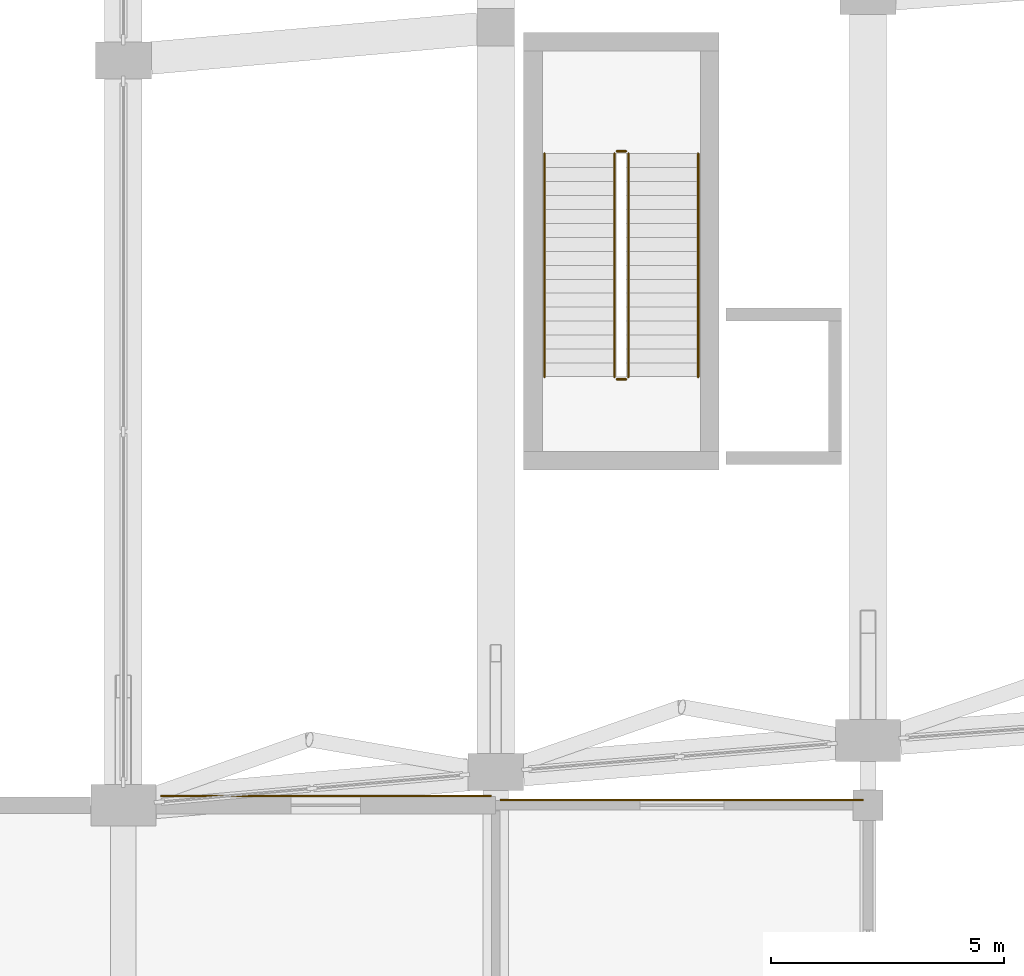
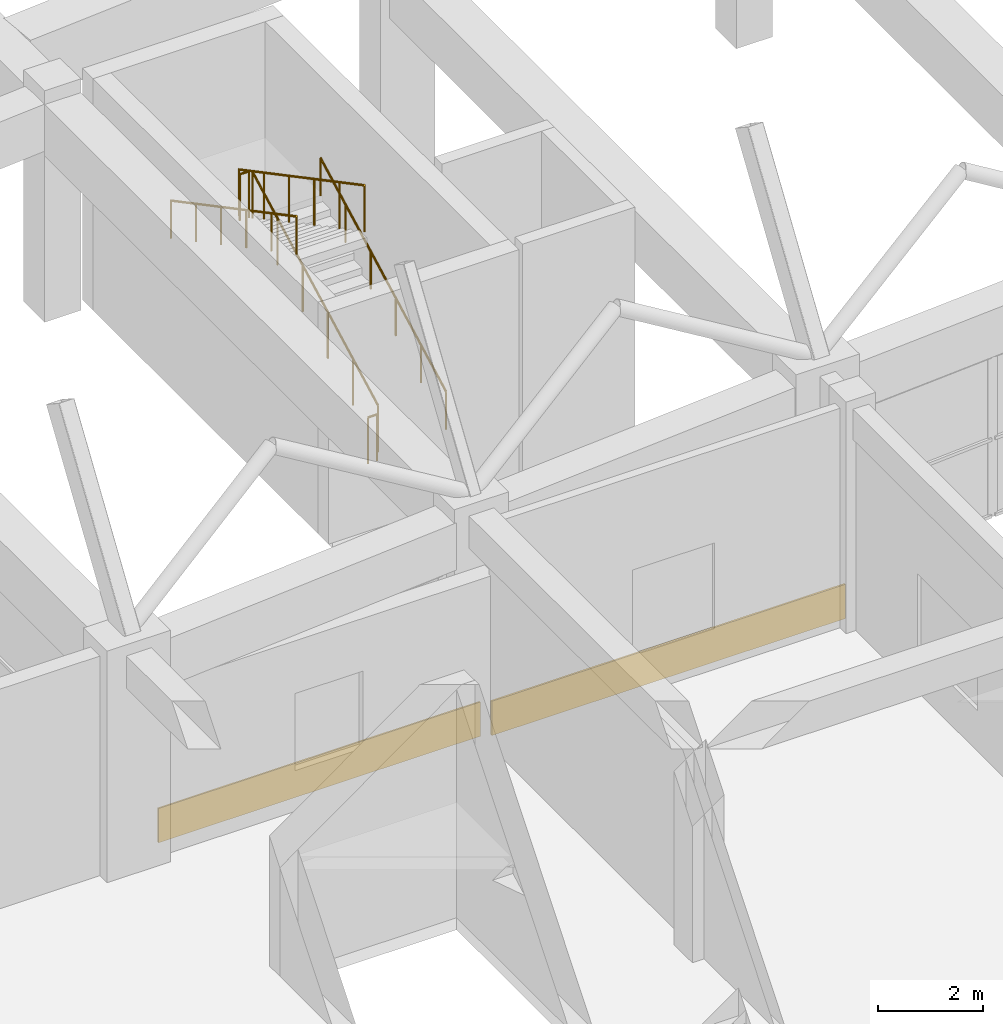
# One storey, part 63 of 69: 6 railings, 2 coverings.
"""IFC4 building model written with IfcOpenShell, lengths in metres."""

from ifc_helpers import new_model, si_unit, direction, frame, origin, origin_2d, place, context, subcontext, project, spatial, rectangle, circle, extrude, material, layer, layer_set, type_object, element, save


model = new_model("IFC4")

# Units and contexts
model_context = context("Model", 3, precision=1e-05, world=origin(), true_north=direction((0.0, 1.0)))
body_context = subcontext(model_context, "Body", "Model", "MODEL_VIEW")
ifc_project = project(units=[si_unit("LENGTHUNIT", "METRE"), si_unit("AREAUNIT", "SQUARE_METRE"), si_unit("VOLUMEUNIT", "CUBIC_METRE"), si_unit("PLANEANGLEUNIT", "RADIAN"), si_unit("MASSUNIT", "GRAM", prefix="KILO")], contexts=[model_context])

# Site, building, storey
site_placement = place(None, origin())
site = spatial("IfcSite", under=ifc_project, at=site_placement, CompositionType="ELEMENT")
building_placement = place(site_placement, origin())
building = spatial("IfcBuilding", under=site, at=building_placement, Name="Kenh Van Central Station", CompositionType="ELEMENT")
storey_placement = place(building_placement, frame((0.0, 0.0, 5.39990234375)))
storey = spatial("IfcBuildingStorey", under=building, at=storey_placement, Name="L01", CompositionType="ELEMENT", Elevation=5.39990234375)

# Coverings
ifc_material_1 = material(Name="Saigon buff sandstone cladding", Category="masonry")
ifc_layer_1 = layer(ifc_material_1, 0.0400390625, Name="Saigon buff sandstone cladding")
ifc_layer_set_1 = layer_set([ifc_layer_1], Name="Saigon buff sandstone cladding")
covering_type_1 = type_object("IfcCoveringType", Name="COV-CLAD-BUFF", PredefinedType="CLADDING", material=ifc_layer_set_1)
covering_1_placement = place(storey_placement, frame((44.0, 64.112548828125, 0.02001953125), z_axis=(0.0, 0.0, 1.0), x_axis=(-1.0, 0.0, 0.0)))
element("IfcCovering", 1, at=covering_1_placement, inside=storey, type_object=covering_type_1, Name="L01 facade cladding 027", PredefinedType="CLADDING", context=body_context, shape_type="SweptSolid", body=[
    extrude(rectangle(XDim=7.800048828125, YDim=0.0400390625, at=origin_2d()), origin(), (0.0, 0.0, 1.0), 0.800048828125),
])
ifc_material_2 = material(Name="Glazed terracotta rainscreen cladding", Category="masonry")
ifc_layer_2 = layer(ifc_material_2, 0.034912109375, Name="Glazed terracotta rainscreen cladding")
ifc_layer_set_2 = layer_set([ifc_layer_2], Name="Glazed terracotta rainscreen cladding")
covering_type_2 = type_object("IfcCoveringType", Name="COV-CLAD-TERRA", PredefinedType="CLADDING", material=ifc_layer_set_2)
covering_2_placement = place(storey_placement, frame((36.35009765625, 64.202392578125, 0.02001953125), z_axis=(0.0, 0.0, 1.0), x_axis=(-1.0, 0.0, 0.0)))
element("IfcCovering", 2, at=covering_2_placement, inside=storey, type_object=covering_type_2, Name="L01 facade cladding 028", PredefinedType="CLADDING", context=body_context, shape_type="SweptSolid", body=[
    extrude(rectangle(XDim=7.10009765625, YDim=0.034912109375, at=origin_2d()), origin(), (0.0, 0.0, 1.0), 0.800048828125),
])

# Railings
ifc_material_3 = material(Name="Champagne anodised aluminium", Category="aluminium")
railing_type_1 = type_object("IfcRailingType", Name="RAIL-CORE-GRD110", PredefinedType="GUARDRAIL", material=ifc_material_3)
railing_1_placement = place(storey_placement, frame((42.85009765625, 73.199951171875, 0.158935546875)))
element("IfcRailing", 3, at=railing_1_placement, inside=storey, type_object=railing_type_1, Name="L01 ST-05 stair guard 1", PredefinedType="GUARDRAIL", context=body_context, shape_type="SweptSolid", body=[
    extrude(circle(Radius=0.02392578125, at=origin_2d()), frame((0.0, 0.0, 1.076171875), z_axis=(0.0, 0.883783542688, 0.467895981682), x_axis=(-1.0, 0.0, 0.0)), (0.0, 0.0, 1.0), 5.43115234375),
    extrude(circle(Radius=0.02099609375, at=origin_2d()), origin(), (0.0, 0.0, 1.0), 1.052001953125),
    extrude(circle(Radius=0.02099609375, at=origin_2d()), frame((0.0, 0.9599609375, 0.50830078125)), (0.0, 0.0, 1.0), 1.052001953125),
    extrude(circle(Radius=0.02099609375, at=origin_2d()), frame((0.0, 1.919921875, 1.0166015625)), (0.0, 0.0, 1.0), 1.052001953125),
    extrude(circle(Radius=0.02099609375, at=origin_2d()), frame((0.0, 2.880126953125, 1.524658203125)), (0.0, 0.0, 1.0), 1.052001953125),
    extrude(circle(Radius=0.02099609375, at=origin_2d()), frame((0.0, 3.840087890625, 2.032958984375)), (0.0, 0.0, 1.0), 1.052001953125),
    extrude(circle(Radius=0.02099609375, at=origin_2d()), frame((0.0, 4.800048828125, 2.541259765625)), (0.0, 0.0, 1.0), 1.052001953125),
])
railing_2_placement = place(storey_placement, frame((42.800048828125, 78.050048828125, 2.7001953125)))
element("IfcRailing", 4, at=railing_2_placement, inside=storey, type_object=railing_type_1, Name="L01 ST-05 stair guard 2", PredefinedType="GUARDRAIL", context=body_context, shape_type="SweptSolid", body=[
    extrude(circle(Radius=0.02392578125, at=origin_2d()), frame((0.0, 0.0, 1.076171875), z_axis=(-1.0, 0.0, 0.0), x_axis=(0.0, -1.0, 0.0)), (0.0, 0.0, 1.0), 0.199951171875),
    extrude(circle(Radius=0.02099609375, at=origin_2d()), origin(), (0.0, 0.0, 1.0), 1.052001953125),
    extrude(circle(Radius=0.02099609375, at=origin_2d()), frame((-0.199951171875, 0.0, 0.0)), (0.0, 0.0, 1.0), 1.052001953125),
])
railing_3_placement = place(storey_placement, frame((42.550048828125, 78.0, 2.85888671875)))
element("IfcRailing", 5, at=railing_3_placement, inside=storey, type_object=railing_type_1, Name="L01 ST-05 stair guard 3", PredefinedType="GUARDRAIL", context=body_context, shape_type="SweptSolid", body=[
    extrude(circle(Radius=0.02392578125, at=origin_2d()), frame((0.0, 0.0, 1.076171875), z_axis=(0.0, -0.883783542688, 0.467895981682), x_axis=(1.0, 0.0, 0.0)), (0.0, 0.0, 1.0), 5.43115234375),
    extrude(circle(Radius=0.02099609375, at=origin_2d()), origin(), (0.0, 0.0, 1.0), 1.052001953125),
    extrude(circle(Radius=0.02099609375, at=origin_2d()), frame((0.0, -0.9599609375, 0.50830078125)), (0.0, 0.0, 1.0), 1.052001953125),
    extrude(circle(Radius=0.02099609375, at=origin_2d()), frame((0.0, -1.919921875, 1.0166015625)), (0.0, 0.0, 1.0), 1.052001953125),
    extrude(circle(Radius=0.02099609375, at=origin_2d()), frame((0.0, -2.880126953125, 1.524658203125)), (0.0, 0.0, 1.0), 1.052001953125),
    extrude(circle(Radius=0.02099609375, at=origin_2d()), frame((0.0, -3.840087890625, 2.032958984375)), (0.0, 0.0, 1.0), 1.052001953125),
    extrude(circle(Radius=0.02099609375, at=origin_2d()), frame((0.0, -4.800048828125, 2.541259765625)), (0.0, 0.0, 1.0), 1.052001953125),
])
railing_4_placement = place(storey_placement, frame((42.800048828125, 73.14990234375, 0.0)))
element("IfcRailing", 6, at=railing_4_placement, inside=storey, type_object=railing_type_1, Name="L01 ST-05 stair guard 4", PredefinedType="GUARDRAIL", context=body_context, shape_type="SweptSolid", body=[
    extrude(circle(Radius=0.02392578125, at=origin_2d()), frame((0.0, 0.0, 1.076171875), z_axis=(-1.0, 0.0, 0.0), x_axis=(0.0, -1.0, 0.0)), (0.0, 0.0, 1.0), 0.199951171875),
    extrude(circle(Radius=0.02099609375, at=origin_2d()), origin(), (0.0, 0.0, 1.0), 1.052001953125),
    extrude(circle(Radius=0.02099609375, at=origin_2d()), frame((-0.199951171875, 0.0, 0.0)), (0.0, 0.0, 1.0), 1.052001953125),
])
railing_type_2 = type_object("IfcRailingType", Name="RAIL-CORE-HND90", PredefinedType="HANDRAIL", material=ifc_material_3)
railing_5_placement = place(storey_placement, frame((44.35009765625, 73.199951171875, 0.158935546875)))
element("IfcRailing", 7, at=railing_5_placement, inside=storey, type_object=railing_type_2, Name="L01 ST-05 stair handrail 1", PredefinedType="HANDRAIL", context=body_context, shape_type="SweptSolid", body=[
    extrude(circle(Radius=0.02392578125, at=origin_2d()), frame((0.0, 0.0, 0.8759765625), z_axis=(0.0, 0.883783542688, 0.467895981682), x_axis=(-1.0, 0.0, 0.0)), (0.0, 0.0, 1.0), 5.43115234375),
    extrude(circle(Radius=0.02099609375, at=origin_2d()), origin(), (0.0, 0.0, 1.0), 0.851806640625),
    extrude(circle(Radius=0.02099609375, at=origin_2d()), frame((0.0, 0.9599609375, 0.50830078125)), (0.0, 0.0, 1.0), 0.851806640625),
    extrude(circle(Radius=0.02099609375, at=origin_2d()), frame((0.0, 1.919921875, 1.0166015625)), (0.0, 0.0, 1.0), 0.851806640625),
    extrude(circle(Radius=0.02099609375, at=origin_2d()), frame((0.0, 2.880126953125, 1.524658203125)), (0.0, 0.0, 1.0), 0.851806640625),
    extrude(circle(Radius=0.02099609375, at=origin_2d()), frame((0.0, 3.840087890625, 2.032958984375)), (0.0, 0.0, 1.0), 0.851806640625),
    extrude(circle(Radius=0.02099609375, at=origin_2d()), frame((0.0, 4.800048828125, 2.541259765625)), (0.0, 0.0, 1.0), 0.851806640625),
])
railing_6_placement = place(storey_placement, frame((41.050048828125, 78.0, 2.85888671875)))
element("IfcRailing", 8, at=railing_6_placement, inside=storey, type_object=railing_type_2, Name="L01 ST-05 stair handrail 2", PredefinedType="HANDRAIL", context=body_context, shape_type="SweptSolid", body=[
    extrude(circle(Radius=0.02392578125, at=origin_2d()), frame((0.0, 0.0, 0.8759765625), z_axis=(0.0, -0.883783542688, 0.467895981682), x_axis=(1.0, 0.0, 0.0)), (0.0, 0.0, 1.0), 5.43115234375),
    extrude(circle(Radius=0.02099609375, at=origin_2d()), origin(), (0.0, 0.0, 1.0), 0.851806640625),
    extrude(circle(Radius=0.02099609375, at=origin_2d()), frame((0.0, -0.9599609375, 0.50830078125)), (0.0, 0.0, 1.0), 0.851806640625),
    extrude(circle(Radius=0.02099609375, at=origin_2d()), frame((0.0, -1.919921875, 1.0166015625)), (0.0, 0.0, 1.0), 0.851806640625),
    extrude(circle(Radius=0.02099609375, at=origin_2d()), frame((0.0, -2.880126953125, 1.524658203125)), (0.0, 0.0, 1.0), 0.851806640625),
    extrude(circle(Radius=0.02099609375, at=origin_2d()), frame((0.0, -3.840087890625, 2.032958984375)), (0.0, 0.0, 1.0), 0.851806640625),
    extrude(circle(Radius=0.02099609375, at=origin_2d()), frame((0.0, -4.800048828125, 2.541259765625)), (0.0, 0.0, 1.0), 0.851806640625),
])

save(model, "model.ifc")
